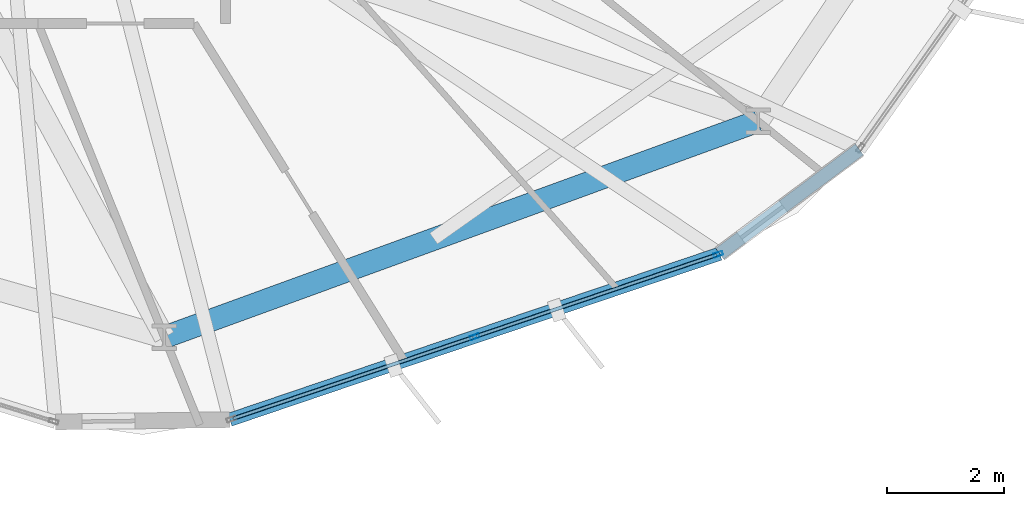
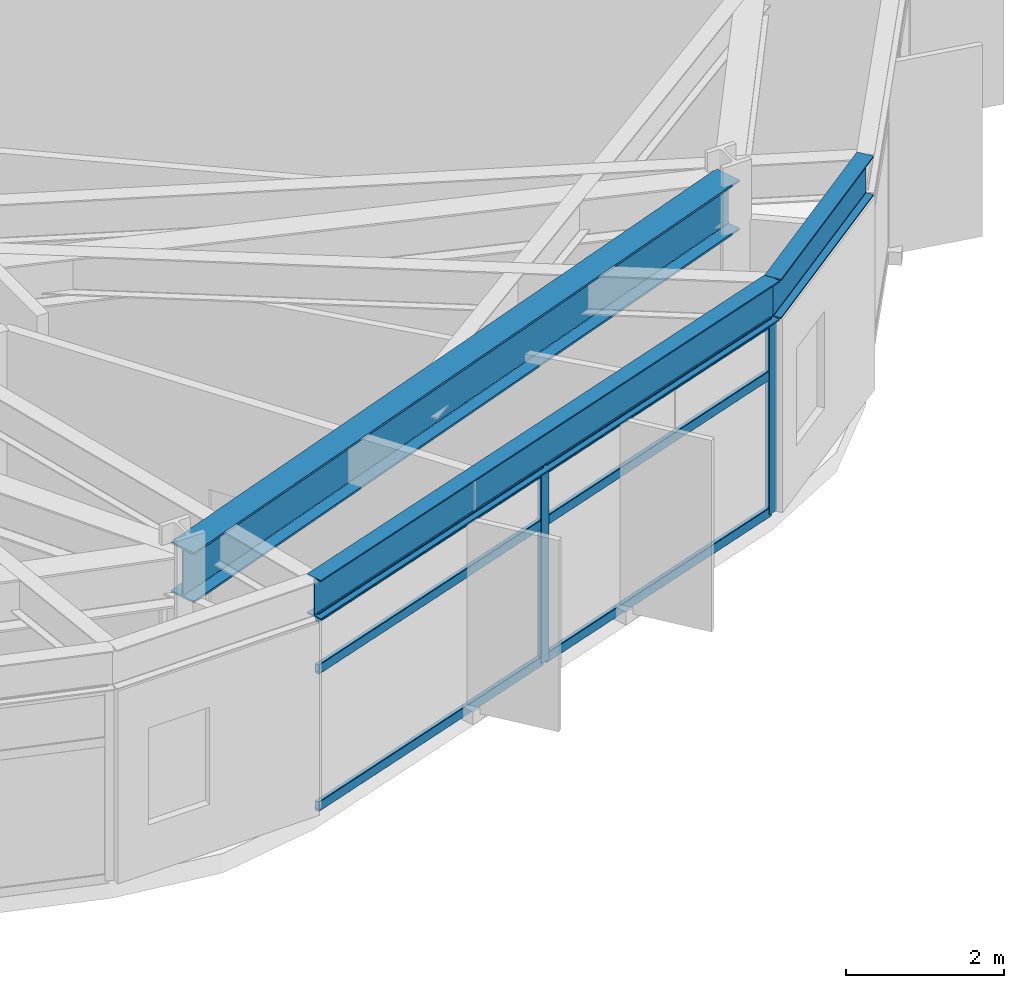
# One storey, part 7 of 25: 8 members, 3 beams, 1 element without a shape of its own.
"""IFC4 building model written with IfcOpenShell, lengths in metres."""

from ifc_helpers import new_model, si_unit, direction, frame, origin, origin_2d, place, context, subcontext, project, spatial, hollow_rectangle, i_section, extrude, material, layer, layer_set, material_profile, profile_set, type_object, element, aggregate, save


model = new_model("IFC4")

# Units and contexts
model_context = context("Model", 3, precision=1e-05, world=origin(), true_north=direction((0.0, 1.0)))
body_context = subcontext(model_context, "Body", "Model", "MODEL_VIEW")
ifc_project = project(units=[si_unit("LENGTHUNIT", "METRE"), si_unit("AREAUNIT", "SQUARE_METRE"), si_unit("VOLUMEUNIT", "CUBIC_METRE"), si_unit("PLANEANGLEUNIT", "RADIAN"), si_unit("MASSUNIT", "GRAM", prefix="KILO")], contexts=[model_context])

# Site, building, storey
site_placement = place(None, origin())
site = spatial("IfcSite", under=ifc_project, at=site_placement, CompositionType="ELEMENT")
building_placement = place(site_placement, origin())
building = spatial("IfcBuilding", under=site, at=building_placement, Name="Soratama Intermodal Tower", CompositionType="ELEMENT")
storey_placement = place(building_placement, frame((0.0, 0.0, 106.89990234375)))
storey = spatial("IfcBuildingStorey", under=building, at=storey_placement, Name="L25", CompositionType="ELEMENT", Elevation=106.89990234375)

# Beams
ifc_material_1 = material(Name="Structural steel ASTM A992 Grade 50", Category="steel")
ifc_material_profile_1 = material_profile(ifc_material_1, i_section(OverallWidth=0.382080078125, OverallDepth=0.779052734375, WebThickness=0.01806640625, FlangeThickness=0.030029296875, FilletRadius=0.01806640625, at=origin_2d()), Name="W30X191")
ifc_profile_set_1 = profile_set([ifc_material_profile_1], Name="Structural steel ASTM A992 Grade 50")
beam_type_1 = type_object("IfcBeamType", Name="BM-RING-W30X191", PredefinedType="BEAM", material=ifc_profile_set_1)
beam_1_placement = place(storey_placement, frame((45.60693359375, 7.611083984375, 3.210693359375), z_axis=(0.939690636038, 0.342025596326, 0.0), x_axis=(-0.342025596326, 0.939690636038, 0.0)))
element("IfcBeam", 1, at=beam_1_placement, inside=storey, type_object=beam_type_1, Name="BM-L25-RING-08", PredefinedType="BEAM", context=body_context, shape_type="SweptSolid", body=[
    extrude(i_section(OverallWidth=0.382080078125, OverallDepth=0.779052734375, WebThickness=0.01806640625, FlangeThickness=0.030029296875, FilletRadius=0.01806640625, at=origin_2d()), origin(), (0.0, 0.0, 1.0), 10.75341796875),
])
ifc_material_2 = material(Name="Structural steel ASTM A992 Grade 50", Category="steel")
ifc_material_profile_2 = material_profile(ifc_material_2, i_section(OverallWidth=0.22900390625, OverallDepth=0.612060546875, WebThickness=0.011962890625, FlangeThickness=0.01953125, FilletRadius=0.012939453125, at=origin_2d()), Name="W24X84")
ifc_profile_set_2 = profile_set([ifc_material_profile_2], Name="Structural steel ASTM A992 Grade 50")
beam_type_2 = type_object("IfcBeamType", Name="BM-SPN-W24X84", PredefinedType="SPANDREL", material=ifc_profile_set_2)
beam_2_placement = place(storey_placement, frame((46.719970703125, 6.2060546875, 3.294189453125), z_axis=(0.947108019287, 0.320914941695, 0.0), x_axis=(-0.320914941695, 0.947108019287, 0.0)))
element("IfcBeam", 2, at=beam_2_placement, inside=storey, type_object=beam_type_2, Name="BS-L25-F08", PredefinedType="SPANDREL", context=body_context, shape_type="SweptSolid", body=[
    extrude(i_section(OverallWidth=0.22900390625, OverallDepth=0.612060546875, WebThickness=0.011962890625, FlangeThickness=0.01953125, FilletRadius=0.012939453125, at=origin_2d()), origin(), (0.0, 0.0, 1.0), 8.805908203125),
])
beam_3_placement = place(storey_placement, frame((55.06005859375, 9.031982421875, 3.294189453125), z_axis=(0.801537895855, 0.597943978571, 0.0), x_axis=(-0.597943978571, 0.801537895855, 0.0)))
element("IfcBeam", 3, at=beam_3_placement, inside=storey, type_object=beam_type_2, Name="BS-L25-CRN08", PredefinedType="SPANDREL", context=body_context, shape_type="SweptSolid", body=[
    extrude(i_section(OverallWidth=0.22900390625, OverallDepth=0.612060546875, WebThickness=0.011962890625, FlangeThickness=0.01953125, FilletRadius=0.012939453125, at=origin_2d()), origin(), (0.0, 0.0, 1.0), 2.966796875),
])

# Curtain wall, members
ifc_material_3 = material(Name="Double-glazed aluminium curtain wall", Category="aluminium")
ifc_layer = layer(ifc_material_3, 0.159912109375)
ifc_layer_set = layer_set([ifc_layer], Name="Double-glazed aluminium curtain wall")
curtain_wall_type = type_object("IfcCurtainWallType", Name="CW-SYS-3", PredefinedType="NOTDEFINED", material=ifc_layer_set)
curtain_wall_placement = place(storey_placement, origin())
curtain_wall = element("IfcCurtainWall", 4, at=curtain_wall_placement, inside=storey, type_object=curtain_wall_type, Name="L25 Faceted Curtain Wall F08", PredefinedType="NOTDEFINED")
ifc_material_4 = material(Name="Anodised aluminium AA 6063-T6", Category="aluminium")
ifc_material_profile_3 = material_profile(ifc_material_4, hollow_rectangle(XDim=0.070068359375, YDim=0.159912109375, WallThickness=0.0048828125, InnerFilletRadius=0.0048828125, OuterFilletRadius=0.010009765625, at=origin_2d()), Name="CWM160X70X5")
ifc_profile_set_3 = profile_set([ifc_material_profile_3], Name="Anodised aluminium AA 6063-T6")
member_type_1 = type_object("IfcMemberType", Name="MT-CWM-3", PredefinedType="MULLION", material=ifc_profile_set_3)
member_1_placement = place(storey_placement, frame((50.889892578125, 7.618896484375, 0.0), z_axis=(0.0, 0.0, 1.0), x_axis=(-0.320945371109, 0.94709770814, 0.0)))
member_1 = element("IfcMember", 5, at=member_1_placement, type_object=member_type_1, Name="CW-3 mullion 2", PredefinedType="MULLION", context=body_context, shape_type="SweptSolid", body=[
    extrude(hollow_rectangle(XDim=0.070068359375, YDim=0.159912109375, WallThickness=0.0048828125, InnerFilletRadius=0.0048828125, OuterFilletRadius=0.010009765625, at=origin_2d()), origin(), (0.0, 0.0, 1.0), 2.97900390625),
])
member_2_placement = place(storey_placement, frame((55.03173828125, 9.0224609375, 0.0), z_axis=(0.0, 0.0, 1.0), x_axis=(-0.320945371109, 0.94709770814, 0.0)))
member_2 = element("IfcMember", 6, at=member_2_placement, type_object=member_type_1, Name="CW-3 mullion 3", PredefinedType="MULLION", context=body_context, shape_type="SweptSolid", body=[
    extrude(hollow_rectangle(XDim=0.070068359375, YDim=0.159912109375, WallThickness=0.0048828125, InnerFilletRadius=0.0048828125, OuterFilletRadius=0.010009765625, at=origin_2d()), origin(), (0.0, 0.0, 1.0), 2.97900390625),
])
ifc_material_5 = material(Name="Anodised aluminium AA 6063-T6", Category="aluminium")
ifc_material_profile_4 = material_profile(ifc_material_5, hollow_rectangle(XDim=0.06494140625, YDim=0.14990234375, WallThickness=0.0048828125, InnerFilletRadius=0.0048828125, OuterFilletRadius=0.010009765625, at=origin_2d()), Name="CWT150X65X5")
ifc_profile_set_4 = profile_set([ifc_material_profile_4], Name="Anodised aluminium AA 6063-T6")
member_type_2 = type_object("IfcMemberType", Name="TT-CWT-1", PredefinedType="USERDEFINED", material=ifc_profile_set_4)
member_3_placement = place(storey_placement, frame((46.7763671875, 6.22509765625, 0.030029296875), z_axis=(0.947103791512, 0.320927418746, 0.0), x_axis=(-0.320927418746, 0.947103791512, 0.0)))
member_3 = element("IfcMember", 7, at=member_3_placement, type_object=member_type_2, Name="CW-3 transom 1.1", ObjectType="TRANSOM", PredefinedType="USERDEFINED", context=body_context, shape_type="SweptSolid", body=[
    extrude(hollow_rectangle(XDim=0.06494140625, YDim=0.14990234375, WallThickness=0.0048828125, InnerFilletRadius=0.0048828125, OuterFilletRadius=0.010009765625, at=origin_2d()), origin(), (0.0, 0.0, 1.0), 4.3134765625),
])
member_4_placement = place(storey_placement, frame((46.7763671875, 6.22509765625, 2.150146484375), z_axis=(0.947103791512, 0.320927418746, 0.0), x_axis=(-0.320927418746, 0.947103791512, 0.0)))
member_4 = element("IfcMember", 8, at=member_4_placement, type_object=member_type_2, Name="CW-3 transom 1.2", ObjectType="TRANSOM", PredefinedType="USERDEFINED", context=body_context, shape_type="SweptSolid", body=[
    extrude(hollow_rectangle(XDim=0.06494140625, YDim=0.14990234375, WallThickness=0.0048828125, InnerFilletRadius=0.0048828125, OuterFilletRadius=0.010009765625, at=origin_2d()), origin(), (0.0, 0.0, 1.0), 4.3134765625),
])
member_5_placement = place(storey_placement, frame((46.7763671875, 6.22509765625, 2.94921875), z_axis=(0.947103791512, 0.320927418746, 0.0), x_axis=(-0.320927418746, 0.947103791512, 0.0)))
member_5 = element("IfcMember", 9, at=member_5_placement, type_object=member_type_2, Name="CW-3 transom 1.3", ObjectType="TRANSOM", PredefinedType="USERDEFINED", context=body_context, shape_type="SweptSolid", body=[
    extrude(hollow_rectangle(XDim=0.06494140625, YDim=0.14990234375, WallThickness=0.0048828125, InnerFilletRadius=0.0048828125, OuterFilletRadius=0.010009765625, at=origin_2d()), origin(), (0.0, 0.0, 1.0), 4.3134765625),
])
member_6_placement = place(storey_placement, frame((50.918212890625, 7.628662109375, 0.030029296875), z_axis=(0.947103791512, 0.320927418746, 0.0), x_axis=(-0.320927418746, 0.947103791512, 0.0)))
member_6 = element("IfcMember", 10, at=member_6_placement, type_object=member_type_2, Name="CW-3 transom 2.1", ObjectType="TRANSOM", PredefinedType="USERDEFINED", context=body_context, shape_type="SweptSolid", body=[
    extrude(hollow_rectangle(XDim=0.06494140625, YDim=0.14990234375, WallThickness=0.0048828125, InnerFilletRadius=0.0048828125, OuterFilletRadius=0.010009765625, at=origin_2d()), origin(), (0.0, 0.0, 1.0), 4.3134765625),
])
member_7_placement = place(storey_placement, frame((50.918212890625, 7.628662109375, 2.150146484375), z_axis=(0.947103791512, 0.320927418746, 0.0), x_axis=(-0.320927418746, 0.947103791512, 0.0)))
member_7 = element("IfcMember", 11, at=member_7_placement, type_object=member_type_2, Name="CW-3 transom 2.2", ObjectType="TRANSOM", PredefinedType="USERDEFINED", context=body_context, shape_type="SweptSolid", body=[
    extrude(hollow_rectangle(XDim=0.06494140625, YDim=0.14990234375, WallThickness=0.0048828125, InnerFilletRadius=0.0048828125, OuterFilletRadius=0.010009765625, at=origin_2d()), origin(), (0.0, 0.0, 1.0), 4.3134765625),
])
member_8_placement = place(storey_placement, frame((50.918212890625, 7.628662109375, 2.94921875), z_axis=(0.947103791512, 0.320927418746, 0.0), x_axis=(-0.320927418746, 0.947103791512, 0.0)))
member_8 = element("IfcMember", 12, at=member_8_placement, type_object=member_type_2, Name="CW-3 transom 2.3", ObjectType="TRANSOM", PredefinedType="USERDEFINED", context=body_context, shape_type="SweptSolid", body=[
    extrude(hollow_rectangle(XDim=0.06494140625, YDim=0.14990234375, WallThickness=0.0048828125, InnerFilletRadius=0.0048828125, OuterFilletRadius=0.010009765625, at=origin_2d()), origin(), (0.0, 0.0, 1.0), 4.3134765625),
])
aggregate(curtain_wall, [member_1, member_2, member_3, member_4, member_5, member_6, member_7, member_8])

save(model, "model.ifc")
